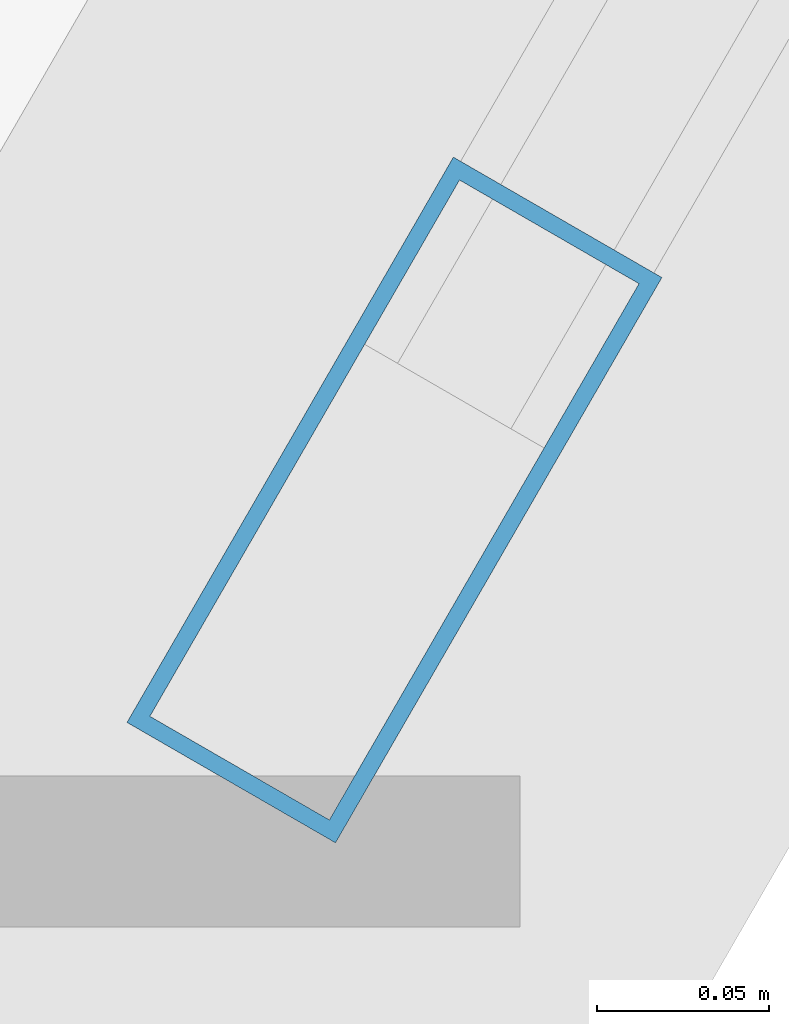
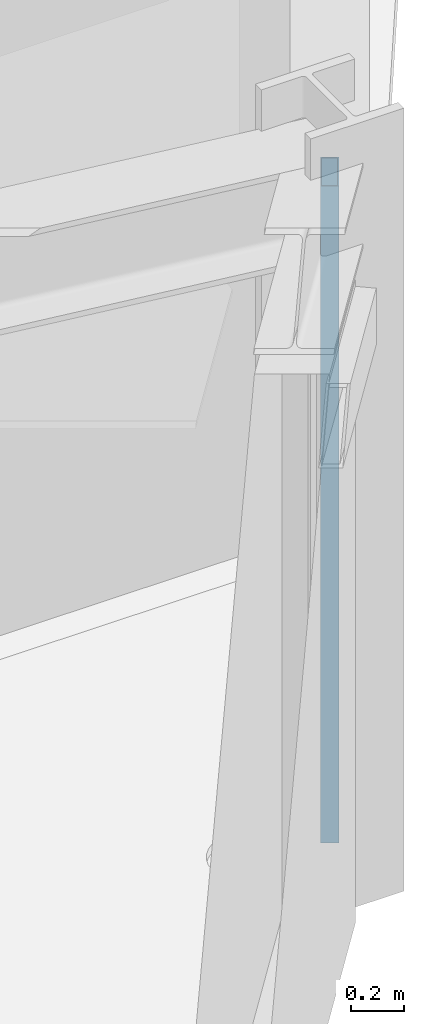
# One storey, part 4 of 16: 1 member, 1 element without a shape of its own.
"""IFC4 building model written with IfcOpenShell, lengths in metres."""

import ifcopenshell
import ifcopenshell.guid

model = None  # the IFC model being written
_history = None  # IfcOwnerHistory: only IFC2X3 demands one
_inside = {}  # id of a spatial element -> (the spatial element, [elements in it])
_under = {}  # id of a project, library or spatial element -> (it, [spatial elements below it])
_declared = {}  # id of a project -> (the project, [libraries it declares])
_typed = {}  # id of a type object -> (the type object, [elements of that type])
_made_of = {}  # id of a material, layer set ... -> (it, [elements and type objects made of it])


def new_model(schema):
    """Start an empty IFC model of exactly this schema.

    Asked for "IFC4X3", IfcOpenShell would pick the latest addendum, in which some entities
    have other attributes; the version numbers below select the first issue.
    IFC2X3 requires an IfcOwnerHistory on every rooted entity: one is made here for all.
    """
    global model, _history
    if schema == "IFC4X3":
        model = ifcopenshell.file(schema_version=(4, 3, 0, 0))
    else:
        model = ifcopenshell.file(schema=schema)
    _inside.clear()
    _under.clear()
    _declared.clear()
    _typed.clear()
    _made_of.clear()
    _history = None
    if model.schema == "IFC2X3":
        org = make("IfcOrganization", Name="unknown")
        user = make(
            "IfcPersonAndOrganization",
            ThePerson=make("IfcPerson", FamilyName="unknown"),
            TheOrganization=org,
        )
        app = make(
            "IfcApplication",
            ApplicationDeveloper=org,
            Version="unknown",
            ApplicationFullName="unknown",
            ApplicationIdentifier="unknown",
        )
        _history = make(
            "IfcOwnerHistory",
            OwningUser=user,
            OwningApplication=app,
            ChangeAction="ADDED",
            CreationDate=0,
        )
    return model


def make(cls, **values):
    """One entity of the class cls with the attributes given. An attribute that is None is left unset."""
    return model.create_entity(
        cls, **{name: value for name, value in values.items() if value is not None}
    )


def rooted(cls, **values):
    """An entity with a GlobalId (a new one), such as an element, a storey or a relation."""
    return make(cls, GlobalId=ifcopenshell.guid.new(), OwnerHistory=_history, **values)


def si_unit(unit_type, name, prefix=None):
    """IfcSIUnit, for example si_unit("LENGTHUNIT", "METRE", prefix="MILLI")."""
    return make("IfcSIUnit", UnitType=unit_type, Prefix=prefix, Name=name)


def derived_unit(unit_type, elements):
    """IfcDerivedUnit: a product of units, each with its exponent."""
    return make(
        "IfcDerivedUnit",
        Elements=[
            make("IfcDerivedUnitElement", Unit=unit, Exponent=power)
            for unit, power in elements
        ],
        UnitType=unit_type,
    )


def assignment(units):
    """IfcUnitAssignment: the units of a project."""
    return None if units is None else make("IfcUnitAssignment", Units=units)


def point(xyz):
    """IfcCartesianPoint."""
    return None if xyz is None else make("IfcCartesianPoint", Coordinates=xyz)


def direction(xyz):
    """IfcDirection."""
    return None if xyz is None else make("IfcDirection", DirectionRatios=xyz)


def frame(location, z_axis=None, x_axis=None):
    """IfcAxis2Placement3D, a coordinate frame: its origin and axes. An axis left out is left unset."""
    return make(
        "IfcAxis2Placement3D",
        Location=point(location),
        Axis=direction(z_axis),
        RefDirection=direction(x_axis),
    )


def frame_2d(location, x_axis=None):
    """IfcAxis2Placement2D, a coordinate frame in the plane: its origin and x axis."""
    return make(
        "IfcAxis2Placement2D", Location=point(location), RefDirection=direction(x_axis)
    )


def origin():
    """The frame at (0, 0, 0) with its axes left unset."""
    return frame((0.0, 0.0, 0.0))


def origin_2d():
    """The frame at (0, 0) in the plane with its x axis left unset."""
    return frame_2d((0.0, 0.0))


def place(relative_to, where):
    """IfcLocalPlacement: puts the frame where relative to a parent placement (None: the world)."""
    return make(
        "IfcLocalPlacement", PlacementRelTo=relative_to, RelativePlacement=where
    )


def context(
    kind, dimensions, precision=None, world=None, true_north=None, identifier=None
):
    """IfcGeometricRepresentationContext, for example the 3D "Model" context."""
    return make(
        "IfcGeometricRepresentationContext",
        ContextIdentifier=identifier,
        ContextType=kind,
        CoordinateSpaceDimension=dimensions,
        Precision=precision,
        WorldCoordinateSystem=world,
        TrueNorth=true_north,
    )


def subcontext(parent, identifier, kind, view, scale=None):
    """IfcGeometricRepresentationSubContext, for example "Body" below "Model"."""
    return make(
        "IfcGeometricRepresentationSubContext",
        ContextIdentifier=identifier,
        ContextType=kind,
        ParentContext=parent,
        TargetScale=scale,
        TargetView=view,
    )


def project(units=None, contexts=None):
    """IfcProject with its units and contexts."""
    return rooted(
        "IfcProject",
        Name="project",
        RepresentationContexts=contexts,
        UnitsInContext=assignment(units),
    )


def spatial(cls, under=None, at=None, **own):
    """A site, building, storey or space (cls), placed at a placement, below another one or the project."""
    s = rooted(cls, ObjectPlacement=at, **own)
    if under is not None:
        _under.setdefault(under.id(), (under, []))[1].append(s)
    return s


def profile(cls, at=None, kind="AREA", **sizes):
    """A parametric profile (cls). Its sizes go by their IFC names, for example OverallWidth=200.0."""
    return make(cls, ProfileType=kind, Position=at, **sizes)


def hollow_rectangle(**sizes):
    """IfcRectangleHollowProfileDef."""
    return profile("IfcRectangleHollowProfileDef", **sizes)


def extrude(swept, where, along, depth):
    """IfcExtrudedAreaSolid: the profile swept, set in the frame where, extruded along a direction by depth."""
    return make(
        "IfcExtrudedAreaSolid",
        SweptArea=swept,
        Position=where,
        ExtrudedDirection=direction(along),
        Depth=depth,
    )


def shape(context_of_items, identifier, shape_type, items):
    """IfcShapeRepresentation: the items that make up one representation, for example the "Body"."""
    return make(
        "IfcShapeRepresentation",
        ContextOfItems=context_of_items,
        RepresentationIdentifier=identifier,
        RepresentationType=shape_type,
        Items=items,
    )


def source(mapping_origin, context_of_items, identifier, shape_type, items):
    """IfcRepresentationMap: a shape defined once, which mapped items show again and again."""
    return make(
        "IfcRepresentationMap",
        MappingOrigin=mapping_origin,
        MappedRepresentation=shape(context_of_items, identifier, shape_type, items),
    )


def transform(
    local_origin,
    x_axis=None,
    y_axis=None,
    z_axis=None,
    scale=None,
    scale2=None,
    scale3=None,
    uniform=True,
):
    """IfcCartesianTransformationOperator3D, or its non-uniform kind. x_axis, y_axis, z_axis: its Axis1, 2, 3."""
    if uniform:
        return make(
            "IfcCartesianTransformationOperator3D",
            Axis1=direction(x_axis),
            Axis2=direction(y_axis),
            LocalOrigin=point(local_origin),
            Scale=scale,
            Axis3=direction(z_axis),
        )
    return make(
        "IfcCartesianTransformationOperator3DnonUniform",
        Axis1=direction(x_axis),
        Axis2=direction(y_axis),
        LocalOrigin=point(local_origin),
        Scale=scale,
        Axis3=direction(z_axis),
        Scale2=scale2,
        Scale3=scale3,
    )


def mapped(mapping_source, mapping_target):
    """IfcMappedItem: shows the shape of a source again, moved by a transform."""
    return make(
        "IfcMappedItem", MappingSource=mapping_source, MappingTarget=mapping_target
    )


def material(Name=None, Category=None):
    """IfcMaterial."""
    return make("IfcMaterial", Name=Name, Category=Category)


def layer(
    of_material, thickness, ventilated=None, Name=None, Category=None, Priority=None
):
    """IfcMaterialLayer: one layer of a wall or slab, of a material (None: an air gap)."""
    return make(
        "IfcMaterialLayer",
        Material=of_material,
        LayerThickness=thickness,
        IsVentilated=ventilated,
        Name=Name,
        Category=Category,
        Priority=Priority,
    )


def layer_set(layers, Name=None):
    """IfcMaterialLayerSet."""
    return make("IfcMaterialLayerSet", MaterialLayers=layers, LayerSetName=Name)


def material_profile(
    of_material, cross_section, Name=None, Category=None, Priority=None
):
    """IfcMaterialProfile: a cross section and its material."""
    return make(
        "IfcMaterialProfile",
        Name=Name,
        Material=of_material,
        Profile=cross_section,
        Priority=Priority,
        Category=Category,
    )


def profile_set(profiles, Name=None, composite=None):
    """IfcMaterialProfileSet."""
    return make(
        "IfcMaterialProfileSet",
        Name=Name,
        MaterialProfiles=profiles,
        CompositeProfile=composite,
    )


def made_of(thing, what):
    """Note that an element or type object is made of a material, layer set ...; save() writes the relation."""
    if what is not None:
        _made_of.setdefault(what.id(), (what, []))[1].append(thing)
    return thing


def type_object(cls, material=None, **own):
    """A type object (cls), such as IfcWallType, which elements share."""
    return made_of(rooted(cls, **own), material)


def element(
    cls,
    number,
    at=None,
    inside=None,
    cuts=None,
    type_object=None,
    material=None,
    context=None,
    identifier="Body",
    shape_type=None,
    held_by="IfcProductDefinitionShape",
    body=None,
    shapes=None,
    **own,
):
    """One element of the class cls, such as IfcWall. Its Tag is "e" and its number.

    at: its placement. inside: the storey or other place that contains it. cuts: it is an
    opening in that element (IfcRelVoidsElement). A single representation is given by context,
    identifier, shape_type and body (its items); several are given by shapes. held_by: the class
    of the entity that holds the representations. save() writes the other relations.
    """
    e = rooted(cls, Tag="e%d" % number, ObjectPlacement=at, **own)
    if body is not None:
        shapes = [shape(context, identifier, shape_type, body)]
    if shapes is not None:
        e.Representation = make(held_by, Representations=shapes)
    if inside is not None:
        _inside.setdefault(inside.id(), (inside, []))[1].append(e)
    if cuts is not None:
        rooted(
            "IfcRelVoidsElement", RelatingBuildingElement=cuts, RelatedOpeningElement=e
        )
    if type_object is not None:
        _typed.setdefault(type_object.id(), (type_object, []))[1].append(e)
    return made_of(e, material)


def aggregate(whole, parts):
    """IfcRelAggregates: a whole, such as a stair, and the parts it consists of."""
    return rooted("IfcRelAggregates", RelatingObject=whole, RelatedObjects=parts)


def save(model, path):
    """Write the relations noted so far, then the file.

    IfcRelAggregates (storeys below a building ...), IfcRelContainedInSpatialStructure (elements
    in a storey), IfcRelDefinesByType, IfcRelAssociatesMaterial and IfcRelDeclares: one each for
    every whole, place, type object, material and project.
    """
    for whole, parts in _under.values():
        aggregate(whole, parts)
    for where, things in _inside.values():
        rooted(
            "IfcRelContainedInSpatialStructure",
            RelatedElements=things,
            RelatingStructure=where,
        )
    for kind, things in _typed.values():
        rooted("IfcRelDefinesByType", RelatedObjects=things, RelatingType=kind)
    for what, things in _made_of.values():
        rooted("IfcRelAssociatesMaterial", RelatedObjects=things, RelatingMaterial=what)
    for by, libraries in _declared.values():
        rooted("IfcRelDeclares", RelatingContext=by, RelatedDefinitions=libraries)
    model.write(path)


model = new_model("IFC4")

# Units and contexts
model_context = context("Model", 3, precision=1e-05, world=origin(), true_north=direction((0.0, 1.0)))
body_context = subcontext(model_context, "Body", "Model", "MODEL_VIEW")
ifc_project = project(units=[si_unit("LENGTHUNIT", "METRE"), si_unit("AREAUNIT", "SQUARE_METRE"), si_unit("VOLUMEUNIT", "CUBIC_METRE"), si_unit("PLANEANGLEUNIT", "RADIAN"), si_unit("MASSUNIT", "GRAM", prefix="KILO"), derived_unit("THERMALTRANSMITTANCEUNIT", [(si_unit("POWERUNIT", "WATT"), 1), (si_unit("LENGTHUNIT", "METRE"), -2), (si_unit("THERMODYNAMICTEMPERATUREUNIT", "KELVIN"), -1)])], contexts=[model_context])

# Site, building, storey
site_placement = place(None, origin())
site = spatial("IfcSite", under=ifc_project, at=site_placement, CompositionType="ELEMENT")
building_placement = place(site_placement, origin())
building = spatial("IfcBuilding", under=site, at=building_placement, Name="Korsvarv Bourse and Concert Hall", CompositionType="ELEMENT")
storey_placement = place(building_placement, frame((0.0, 0.0, 227.39990234375)))
storey = spatial("IfcBuildingStorey", under=building, at=storey_placement, Name="L59", CompositionType="ELEMENT", Elevation=227.39990234375)

# Curtain wall, member
ifc_material_1 = material(Name="Anodised aluminium and triple low-E glazing", Category="glass")
ifc_layer = layer(ifc_material_1, 0.199951171875)
ifc_layer_set = layer_set([ifc_layer], Name="Anodised aluminium and triple low-E glazing")
curtain_wall_type = type_object("IfcCurtainWallType", Name="CW-SYS-3", PredefinedType="NOTDEFINED", material=ifc_layer_set)
curtain_wall_placement = place(storey_placement, origin())
curtain_wall = element("IfcCurtainWall", 1, at=curtain_wall_placement, inside=storey, type_object=curtain_wall_type, Name="L59 CW3 curtain wall CW-L59-F11", PredefinedType="NOTDEFINED")
ifc_material_2 = material(Name="Extruded aluminium EN AW-6063 T66", Category="aluminium")
ifc_material_profile = material_profile(ifc_material_2, hollow_rectangle(XDim=0.070068359375, YDim=0.18994140625, WallThickness=0.0048828125, at=origin_2d()), Name="ALU-M 70x190")
ifc_profile_set = profile_set([ifc_material_profile], Name="Extruded aluminium EN AW-6063 T66")
member_type = type_object("IfcMemberType", Name="CWM-190", PredefinedType="MULLION", material=ifc_profile_set)
shared_shape = source(origin(), body_context, "Body", "SweptSolid", [
    extrude(hollow_rectangle(XDim=0.070068359375, YDim=0.18994140625, WallThickness=0.0048828125, at=origin_2d()), origin(), (0.0, 0.0, 1.0), 3.02001953125),
])
member_placement = place(storey_placement, frame((50.534912109375, 23.418212890625, 0.0), z_axis=(0.0, 0.0, 1.0), x_axis=(-0.86602769294, 0.499996035044, 0.0)))
member = element("IfcMember", 2, at=member_placement, type_object=member_type, Name="CW3 mullion 1", PredefinedType="MULLION", context=body_context, shape_type="MappedRepresentation", body=[
    mapped(shared_shape, transform((0.0, 0.0, 0.0), scale=1.0)),
])
aggregate(curtain_wall, [member])

save(model, "model.ifc")
